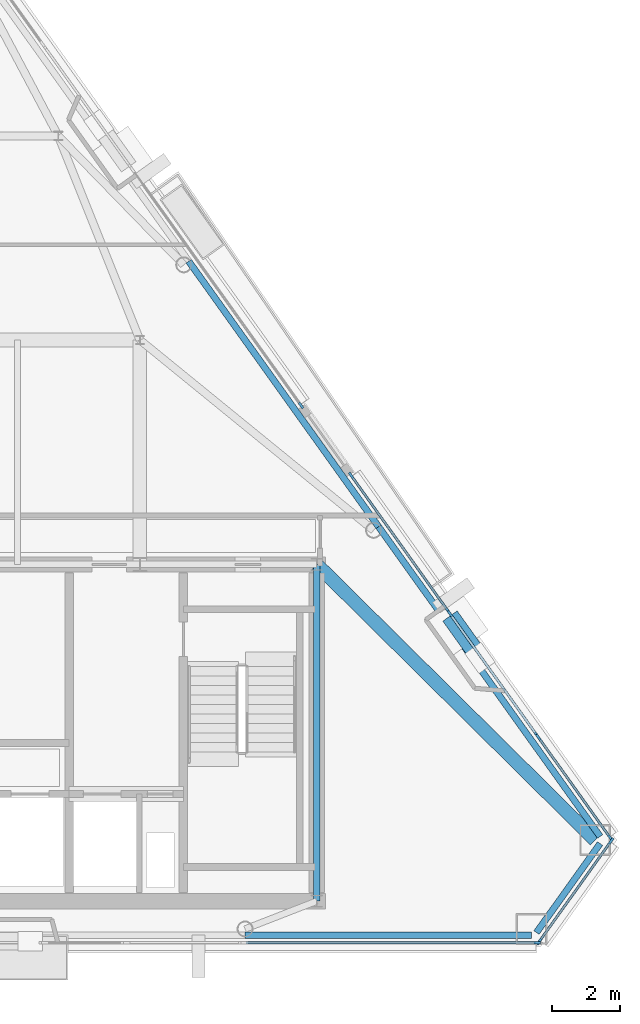
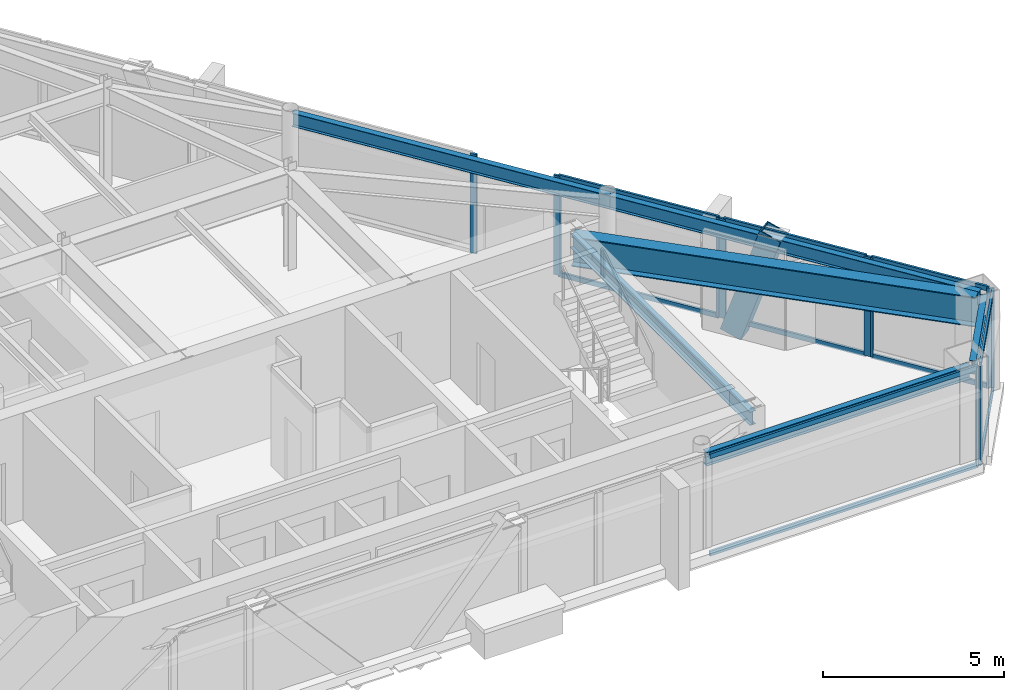
# One storey, part 6 of 12: 21 members, 6 beams, 6 elements without a shape of their own.
"""IFC4 building model written with IfcOpenShell, lengths in metres."""

from ifc_helpers import new_model, si_unit, direction, frame, origin, origin_2d, place, context, subcontext, project, spatial, rectangle, hollow_rectangle, i_section, extrude, material, layer, layer_set, material_profile, profile_set, type_object, element, aggregate, save


model = new_model("IFC4")

# Units and contexts
model_context = context("Model", 3, precision=1e-05, world=origin(), true_north=direction((0.0, 1.0)))
body_context = subcontext(model_context, "Body", "Model", "MODEL_VIEW")
ifc_project = project(units=[si_unit("LENGTHUNIT", "METRE"), si_unit("AREAUNIT", "SQUARE_METRE"), si_unit("VOLUMEUNIT", "CUBIC_METRE"), si_unit("PLANEANGLEUNIT", "RADIAN"), si_unit("MASSUNIT", "GRAM", prefix="KILO")], contexts=[model_context])

# Site, building, storey
site_placement = place(None, origin())
site = spatial("IfcSite", under=ifc_project, at=site_placement, CompositionType="ELEMENT")
building_placement = place(site_placement, origin())
building = spatial("IfcBuilding", under=site, at=building_placement, Name="Talgorran Terracotta Tower", CompositionType="ELEMENT")
storey_placement = place(building_placement, frame((0.0, 0.0, 263.39990234375)))
storey = spatial("IfcBuildingStorey", under=building, at=storey_placement, Name="L69", CompositionType="ELEMENT", Elevation=263.39990234375)

# Beams
ifc_material_1 = material(Name="Steel Grade 350 (350L0)", Category="steel")
ifc_material_profile_1 = material_profile(ifc_material_1, i_section(OverallWidth=0.39990234375, OverallDepth=1.0, WebThickness=0.01611328125, FlangeThickness=0.031005859375, at=origin_2d()), Name="1000WB296")
ifc_profile_set_1 = profile_set([ifc_material_profile_1], Name="Steel Grade 350 (350L0)")
beam_type_1 = type_object("IfcBeamType", Name="BM_1000WB296", PredefinedType="BEAM", material=ifc_profile_set_1)
beam_1_placement = place(storey_placement, frame((12.39990234375, -4.199951171875, 2.84521484375), z_axis=(0.710637755688, -0.703558085868, 0.0), x_axis=(0.703558085868, 0.710637755688, 0.0)))
element("IfcBeam", 1, at=beam_1_placement, inside=storey, type_object=beam_type_1, Name="L69 Floor Girder G18", PredefinedType="BEAM", context=body_context, shape_type="SweptSolid", body=[
    extrude(i_section(OverallWidth=0.39990234375, OverallDepth=1.0, WebThickness=0.01611328125, FlangeThickness=0.031005859375, at=origin_2d()), origin(), (0.0, 0.0, 1.0), 11.517822265625),
])
ifc_material_2 = material(Name="Steel S355 (300PLUS)", Category="steel")
ifc_material_profile_2 = material_profile(ifc_material_2, i_section(OverallWidth=0.18994140625, OverallDepth=0.45703125, WebThickness=0.009033203125, FlangeThickness=0.014404296875, at=origin_2d()), Name="460UB74.6")
ifc_profile_set_2 = profile_set([ifc_material_profile_2], Name="Steel S355 (300PLUS)")
beam_type_2 = type_object("IfcBeamType", Name="BM_SP_460UB74", PredefinedType="SPANDREL", material=ifc_profile_set_2)
beam_2_placement = place(storey_placement, frame((10.29296875, -15.098876953125, 3.11669921875), z_axis=(1.0, 0.0, 0.0), x_axis=(0.0, 1.0, 0.0)))
element("IfcBeam", 2, at=beam_2_placement, inside=storey, type_object=beam_type_2, Name="L69 Perimeter Spandrel Beam FC2-MC3", PredefinedType="SPANDREL", context=body_context, shape_type="SweptSolid", body=[
    extrude(i_section(OverallWidth=0.18994140625, OverallDepth=0.45703125, WebThickness=0.009033203125, FlangeThickness=0.014404296875, at=origin_2d()), origin(), (0.0, 0.0, 1.0), 8.42138671875),
])
beam_3_placement = place(storey_placement, frame((18.860595703125, -15.023681640625, 3.11669921875), z_axis=(0.581733647308, 0.8133793479, 0.0), x_axis=(-0.8133793479, 0.581733647308, 0.0)))
element("IfcBeam", 3, at=beam_3_placement, inside=storey, type_object=beam_type_2, Name="L69 Perimeter Spandrel Beam MC3-MC4", PredefinedType="SPANDREL", context=body_context, shape_type="SweptSolid", body=[
    extrude(i_section(OverallWidth=0.18994140625, OverallDepth=0.45703125, WebThickness=0.009033203125, FlangeThickness=0.014404296875, at=origin_2d()), origin(), (0.0, 0.0, 1.0), 3.215576171875),
])
beam_4_placement = place(storey_placement, frame((20.731201171875, -12.19873046875, 3.11669921875), z_axis=(-0.581724880889, 0.813385617622, 0.0), x_axis=(-0.813385617622, -0.581724880889, 0.0)))
element("IfcBeam", 4, at=beam_4_placement, inside=storey, type_object=beam_type_2, Name="L69 Perimeter Spandrel Beam MC4-FC3", PredefinedType="SPANDREL", context=body_context, shape_type="SweptSolid", body=[
    extrude(i_section(OverallWidth=0.18994140625, OverallDepth=0.45703125, WebThickness=0.009033203125, FlangeThickness=0.014404296875, at=origin_2d()), origin(), (0.0, 0.0, 1.0), 11.1962890625),
])
beam_5_placement = place(storey_placement, frame((14.218017578125, -3.091796875, 3.11669921875), z_axis=(-0.581733798122, 0.813379240037, 0.0), x_axis=(-0.813379240037, -0.581733798122, 0.0)))
element("IfcBeam", 5, at=beam_5_placement, inside=storey, type_object=beam_type_2, Name="L69 Perimeter Spandrel Beam FC3-FC4", PredefinedType="SPANDREL", context=body_context, shape_type="SweptSolid", body=[
    extrude(i_section(OverallWidth=0.18994140625, OverallDepth=0.45703125, WebThickness=0.009033203125, FlangeThickness=0.014404296875, at=origin_2d()), origin(), (0.0, 0.0, 1.0), 9.59716796875),
])
beam_6_placement = place(storey_placement, frame((12.39990234375, -14.10009765625, 3.11669921875), z_axis=(0.0, 1.0, 0.0), x_axis=(-1.0, 0.0, 0.0)))
element("IfcBeam", 6, at=beam_6_placement, inside=storey, type_object=beam_type_2, Name="L69 Core Frame Beam CFE", PredefinedType="SPANDREL", context=body_context, shape_type="SweptSolid", body=[
    extrude(i_section(OverallWidth=0.18994140625, OverallDepth=0.45703125, WebThickness=0.009033203125, FlangeThickness=0.014404296875, at=origin_2d()), origin(), (0.0, 0.0, 1.0), 9.900146484375),
])

# Member
ifc_material_profile_3 = material_profile(ifc_material_1, hollow_rectangle(XDim=0.52001953125, YDim=0.659912109375, WallThickness=0.034912109375, at=origin_2d()), Name="WBOX660X520X35")
ifc_profile_set_3 = profile_set([ifc_material_profile_3], Name="Steel Grade 350 (350L0)")
member_type_1 = type_object("IfcMemberType", Name="MB_MEGA_660", PredefinedType="BRACE", material=ifc_profile_set_3)
member_1_placement = place(storey_placement, frame((16.499267578125, -5.97216796875, -0.27490234375), z_axis=(0.181952212271, -0.254351379252, 0.94984144378), x_axis=(0.813320904376, 0.581815354306, 0.0)))
element("IfcMember", 7, at=member_1_placement, inside=storey, type_object=member_type_1, Name="L69 Exterior Face Mega-Brace MB-3 (NEL)", PredefinedType="BRACE", context=body_context, shape_type="SweptSolid", body=[
    extrude(hollow_rectangle(XDim=0.52001953125, YDim=0.659912109375, WallThickness=0.034912109375, at=origin_2d()), origin(), (0.0, 0.0, 1.0), 3.83740234375),
])

# Curtain wall, member
ifc_material_3 = material(Name="High-Wind Unitised Glazing", Category="glass")
ifc_layer = layer(ifc_material_3, 0.2099609375, Name="CW_SYS3_RES_HIGH")
ifc_layer_set = layer_set([ifc_layer], Name="High-Wind Unitised Glazing")
curtain_wall_type = type_object("IfcCurtainWallType", Name="CW_SYS3_RES_HIGH", PredefinedType="NOTDEFINED", material=ifc_layer_set)
curtain_wall_1_placement = place(storey_placement, origin())
curtain_wall_1 = element("IfcCurtainWall", 8, at=curtain_wall_1_placement, inside=storey, type_object=curtain_wall_type, Name="CW-L69-F1G", PredefinedType="NOTDEFINED")
ifc_material_4 = material(Name="Architectural Aluminium 6063-T6", Category="aluminium")
ifc_material_profile_4 = material_profile(ifc_material_4, rectangle(XDim=0.070068359375, YDim=0.199951171875, at=origin_2d()), Name="CWM70X200")
ifc_profile_set_4 = profile_set([ifc_material_profile_4], Name="Architectural Aluminium 6063-T6")
member_type_2 = type_object("IfcMemberType", Name="MUL_70X200", PredefinedType="MULLION", material=ifc_profile_set_4)
member_2_placement = place(storey_placement, frame((18.885009765625, -15.31884765625, 0.0), z_axis=(0.0, 0.0, 1.0), x_axis=(0.0, 1.0, 0.0)))
member_2 = element("IfcMember", 9, at=member_2_placement, type_object=member_type_2, Name="CW-L69-1G mullion 2", PredefinedType="MULLION", context=body_context, shape_type="SweptSolid", body=[
    extrude(rectangle(XDim=0.070068359375, YDim=0.199951171875, at=origin_2d()), origin(), (0.0, 0.0, 1.0), 3.34521484375),
])

# Curtain wall, members
curtain_wall_2_placement = place(storey_placement, origin())
curtain_wall_2 = element("IfcCurtainWall", 10, at=curtain_wall_2_placement, inside=storey, type_object=curtain_wall_type, Name="CW-L69-F2", PredefinedType="NOTDEFINED")
member_3_placement = place(storey_placement, frame((18.9404296875, -15.29052734375, 0.0), z_axis=(0.0, 0.0, 1.0), x_axis=(-0.813370623345, 0.581745845777, 0.0)))
member_3 = element("IfcMember", 11, at=member_3_placement, type_object=member_type_2, Name="CW-L69-2 mullion 1", PredefinedType="MULLION", context=body_context, shape_type="SweptSolid", body=[
    extrude(rectangle(XDim=0.070068359375, YDim=0.199951171875, at=origin_2d()), origin(), (0.0, 0.0, 1.0), 3.34521484375),
])
member_4_placement = place(storey_placement, frame((21.056396484375, -12.33203125, 0.0), z_axis=(0.0, 0.0, 1.0), x_axis=(-0.813370623345, 0.581745845777, 0.0)))
member_4 = element("IfcMember", 12, at=member_4_placement, type_object=member_type_2, Name="CW-L69-2 mullion 2", PredefinedType="MULLION", context=body_context, shape_type="SweptSolid", body=[
    extrude(rectangle(XDim=0.070068359375, YDim=0.199951171875, at=origin_2d()), origin(), (0.0, 0.0, 1.0), 3.34521484375),
])

curtain_wall_3_placement = place(storey_placement, origin())
curtain_wall_3 = element("IfcCurtainWall", 13, at=curtain_wall_3_placement, inside=storey, type_object=curtain_wall_type, Name="CW-L69-F40", PredefinedType="NOTDEFINED")
member_5_placement = place(storey_placement, frame((21.032958984375, -12.242431640625, 0.0), z_axis=(0.0, 0.0, 1.0), x_axis=(-0.813383305425, -0.581728113861, 0.0)))
member_5 = element("IfcMember", 14, at=member_5_placement, type_object=member_type_2, Name="CW-L69-40 mullion 1", PredefinedType="MULLION", context=body_context, shape_type="SweptSolid", body=[
    extrude(rectangle(XDim=0.070068359375, YDim=0.199951171875, at=origin_2d()), origin(), (0.0, 0.0, 1.0), 3.34521484375),
])
member_6_placement = place(storey_placement, frame((18.917724609375, -9.28466796875, 0.0), z_axis=(0.0, 0.0, 1.0), x_axis=(-0.813383305425, -0.581728113861, 0.0)))
member_6 = element("IfcMember", 15, at=member_6_placement, type_object=member_type_2, Name="CW-L69-40 mullion 2", PredefinedType="MULLION", context=body_context, shape_type="SweptSolid", body=[
    extrude(rectangle(XDim=0.070068359375, YDim=0.199951171875, at=origin_2d()), origin(), (0.0, 0.0, 1.0), 3.34521484375),
])

curtain_wall_4_placement = place(storey_placement, origin())
curtain_wall_4 = element("IfcCurtainWall", 16, at=curtain_wall_4_placement, inside=storey, type_object=curtain_wall_type, Name="CW-L69-F40B", PredefinedType="NOTDEFINED")
member_7_placement = place(storey_placement, frame((18.87109375, -9.2197265625, 0.0), z_axis=(0.0, 0.0, 1.0), x_axis=(-0.813387770934, -0.58172187005, 0.0)))
member_7 = element("IfcMember", 17, at=member_7_placement, type_object=member_type_2, Name="CW-L69-40B mullion 1", PredefinedType="MULLION", context=body_context, shape_type="SweptSolid", body=[
    extrude(rectangle(XDim=0.070068359375, YDim=0.199951171875, at=origin_2d()), origin(), (0.0, 0.0, 1.0), 3.34521484375),
])
member_8_placement = place(storey_placement, frame((16.318359375, -5.650390625, 0.0), z_axis=(0.0, 0.0, 1.0), x_axis=(-0.813387770934, -0.58172187005, 0.0)))
member_8 = element("IfcMember", 18, at=member_8_placement, type_object=member_type_2, Name="CW-L69-40B mullion 2", PredefinedType="MULLION", context=body_context, shape_type="SweptSolid", body=[
    extrude(rectangle(XDim=0.070068359375, YDim=0.199951171875, at=origin_2d()), origin(), (0.0, 0.0, 1.0), 3.34521484375),
])

curtain_wall_5_placement = place(storey_placement, origin())
curtain_wall_5 = element("IfcCurtainWall", 19, at=curtain_wall_5_placement, inside=storey, type_object=curtain_wall_type, Name="CW-L69-F40C", PredefinedType="NOTDEFINED")
member_9_placement = place(storey_placement, frame((16.27197265625, -5.58544921875, 0.0), z_axis=(0.0, 0.0, 1.0), x_axis=(-0.813378585865, -0.581734712783, 0.0)))
member_9 = element("IfcMember", 20, at=member_9_placement, type_object=member_type_2, Name="CW-L69-40C mullion 1", PredefinedType="MULLION", context=body_context, shape_type="SweptSolid", body=[
    extrude(rectangle(XDim=0.070068359375, YDim=0.199951171875, at=origin_2d()), origin(), (0.0, 0.0, 1.0), 3.34521484375),
])
member_10_placement = place(storey_placement, frame((13.40966796875, -1.583251953125, 0.0), z_axis=(0.0, 0.0, 1.0), x_axis=(-0.813378585865, -0.581734712783, 0.0)))
member_10 = element("IfcMember", 21, at=member_10_placement, type_object=member_type_2, Name="CW-L69-40C mullion 2", PredefinedType="MULLION", context=body_context, shape_type="SweptSolid", body=[
    extrude(rectangle(XDim=0.070068359375, YDim=0.199951171875, at=origin_2d()), origin(), (0.0, 0.0, 1.0), 3.34521484375),
])

# Curtain wall, member
curtain_wall_6_placement = place(storey_placement, origin())
curtain_wall_6 = element("IfcCurtainWall", 22, at=curtain_wall_6_placement, inside=storey, type_object=curtain_wall_type, Name="CW-L69-F41", PredefinedType="NOTDEFINED")
member_11_placement = place(storey_placement, frame((11.937744140625, 0.474609375, 0.0), z_axis=(0.0, 0.0, 1.0), x_axis=(-0.813381757068, -0.581730278797, 0.0)))
member_11 = element("IfcMember", 23, at=member_11_placement, type_object=member_type_2, Name="CW-L69-41 mullion 1", PredefinedType="MULLION", context=body_context, shape_type="SweptSolid", body=[
    extrude(rectangle(XDim=0.070068359375, YDim=0.199951171875, at=origin_2d()), origin(), (0.0, 0.0, 1.0), 3.34521484375),
])
aggregate(curtain_wall_6, [member_11])

# Member
ifc_material_profile_5 = material_profile(ifc_material_4, rectangle(XDim=0.070068359375, YDim=0.159912109375, at=origin_2d()), Name="CWT70X160")
ifc_profile_set_5 = profile_set([ifc_material_profile_5], Name="Architectural Aluminium 6063-T6")
member_type_3 = type_object("IfcMemberType", Name="TRN_70X160", PredefinedType="USERDEFINED", material=ifc_profile_set_5)
member_12_placement = place(storey_placement, frame((10.31298828125, -15.31884765625, 0.03515625), z_axis=(1.0, 0.0, 0.0), x_axis=(0.0, 1.0, 0.0)))
member_12 = element("IfcMember", 24, at=member_12_placement, type_object=member_type_3, Name="CW-L69-1G transom 1.1", ObjectType="TRANSOM", PredefinedType="USERDEFINED", context=body_context, shape_type="SweptSolid", body=[
    extrude(rectangle(XDim=0.070068359375, YDim=0.159912109375, at=origin_2d()), origin(), (0.0, 0.0, 1.0), 8.537109375),
])

member_13_placement = place(storey_placement, frame((10.31298828125, -15.31884765625, 3.31005859375), z_axis=(1.0, 0.0, 0.0), x_axis=(0.0, 1.0, 0.0)))
member_13 = element("IfcMember", 25, at=member_13_placement, type_object=member_type_3, Name="CW-L69-1G transom 1.2", ObjectType="TRANSOM", PredefinedType="USERDEFINED", context=body_context, shape_type="SweptSolid", body=[
    extrude(rectangle(XDim=0.070068359375, YDim=0.159912109375, at=origin_2d()), origin(), (0.0, 0.0, 1.0), 8.537109375),
])

aggregate(curtain_wall_1, [member_2, member_12, member_13])

member_14_placement = place(storey_placement, frame((18.960693359375, -15.261962890625, 0.03515625), z_axis=(0.581723630641, 0.813386511785, 0.0), x_axis=(-0.813386511785, 0.581723630641, 0.0)))
member_14 = element("IfcMember", 26, at=member_14_placement, type_object=member_type_3, Name="CW-L69-2 transom 1.1", ObjectType="TRANSOM", PredefinedType="USERDEFINED", context=body_context, shape_type="SweptSolid", body=[
    extrude(rectangle(XDim=0.070068359375, YDim=0.159912109375, at=origin_2d()), origin(), (0.0, 0.0, 1.0), 3.5673828125),
])

member_15_placement = place(storey_placement, frame((18.960693359375, -15.261962890625, 3.31005859375), z_axis=(0.581723630641, 0.813386511785, 0.0), x_axis=(-0.813386511785, 0.581723630641, 0.0)))
member_15 = element("IfcMember", 27, at=member_15_placement, type_object=member_type_3, Name="CW-L69-2 transom 1.2", ObjectType="TRANSOM", PredefinedType="USERDEFINED", context=body_context, shape_type="SweptSolid", body=[
    extrude(rectangle(XDim=0.070068359375, YDim=0.159912109375, at=origin_2d()), origin(), (0.0, 0.0, 1.0), 3.5673828125),
])

aggregate(curtain_wall_2, [member_3, member_4, member_14, member_15])

member_16_placement = place(storey_placement, frame((21.0126953125, -12.214111328125, 0.03515625), z_axis=(-0.581730223056, 0.813381796934, 0.0), x_axis=(-0.813381796934, -0.581730223056, 0.0)))
member_16 = element("IfcMember", 28, at=member_16_placement, type_object=member_type_3, Name="CW-L69-40 transom 1.1", ObjectType="TRANSOM", PredefinedType="USERDEFINED", context=body_context, shape_type="SweptSolid", body=[
    extrude(rectangle(XDim=0.070068359375, YDim=0.159912109375, at=origin_2d()), origin(), (0.0, 0.0, 1.0), 3.56640625),
])

member_17_placement = place(storey_placement, frame((21.0126953125, -12.214111328125, 3.31005859375), z_axis=(-0.581730223056, 0.813381796934, 0.0), x_axis=(-0.813381796934, -0.581730223056, 0.0)))
member_17 = element("IfcMember", 29, at=member_17_placement, type_object=member_type_3, Name="CW-L69-40 transom 1.2", ObjectType="TRANSOM", PredefinedType="USERDEFINED", context=body_context, shape_type="SweptSolid", body=[
    extrude(rectangle(XDim=0.070068359375, YDim=0.159912109375, at=origin_2d()), origin(), (0.0, 0.0, 1.0), 3.56640625),
])

aggregate(curtain_wall_3, [member_5, member_6, member_16, member_17])

member_18_placement = place(storey_placement, frame((18.850830078125, -9.191162109375, 0.03515625), z_axis=(-0.581735480409, 0.813378036852, 0.0), x_axis=(-0.813378036852, -0.581735480409, 0.0)))
member_18 = element("IfcMember", 30, at=member_18_placement, type_object=member_type_3, Name="CW-L69-40B transom 1.1", ObjectType="TRANSOM", PredefinedType="USERDEFINED", context=body_context, shape_type="SweptSolid", body=[
    extrude(rectangle(XDim=0.070068359375, YDim=0.159912109375, at=origin_2d()), origin(), (0.0, 0.0, 1.0), 4.318115234375),
])

member_19_placement = place(storey_placement, frame((18.850830078125, -9.191162109375, 3.31005859375), z_axis=(-0.581735480409, 0.813378036852, 0.0), x_axis=(-0.813378036852, -0.581735480409, 0.0)))
member_19 = element("IfcMember", 31, at=member_19_placement, type_object=member_type_3, Name="CW-L69-40B transom 1.2", ObjectType="TRANSOM", PredefinedType="USERDEFINED", context=body_context, shape_type="SweptSolid", body=[
    extrude(rectangle(XDim=0.070068359375, YDim=0.159912109375, at=origin_2d()), origin(), (0.0, 0.0, 1.0), 4.318115234375),
])

aggregate(curtain_wall_4, [member_7, member_8, member_18, member_19])

member_20_placement = place(storey_placement, frame((16.25146484375, -5.556884765625, 0.03515625), z_axis=(-0.581733283611, 0.813379608018, 0.0), x_axis=(-0.813379608018, -0.581733283611, 0.0)))
member_20 = element("IfcMember", 32, at=member_20_placement, type_object=member_type_3, Name="CW-L69-40C transom 1.1", ObjectType="TRANSOM", PredefinedType="USERDEFINED", context=body_context, shape_type="SweptSolid", body=[
    extrude(rectangle(XDim=0.070068359375, YDim=0.159912109375, at=origin_2d()), origin(), (0.0, 0.0, 1.0), 4.85009765625),
])

member_21_placement = place(storey_placement, frame((16.25146484375, -5.556884765625, 3.31005859375), z_axis=(-0.581733283611, 0.813379608018, 0.0), x_axis=(-0.813379608018, -0.581733283611, 0.0)))
member_21 = element("IfcMember", 33, at=member_21_placement, type_object=member_type_3, Name="CW-L69-40C transom 1.2", ObjectType="TRANSOM", PredefinedType="USERDEFINED", context=body_context, shape_type="SweptSolid", body=[
    extrude(rectangle(XDim=0.070068359375, YDim=0.159912109375, at=origin_2d()), origin(), (0.0, 0.0, 1.0), 4.85009765625),
])

aggregate(curtain_wall_5, [member_9, member_10, member_20, member_21])

save(model, "model.ifc")
